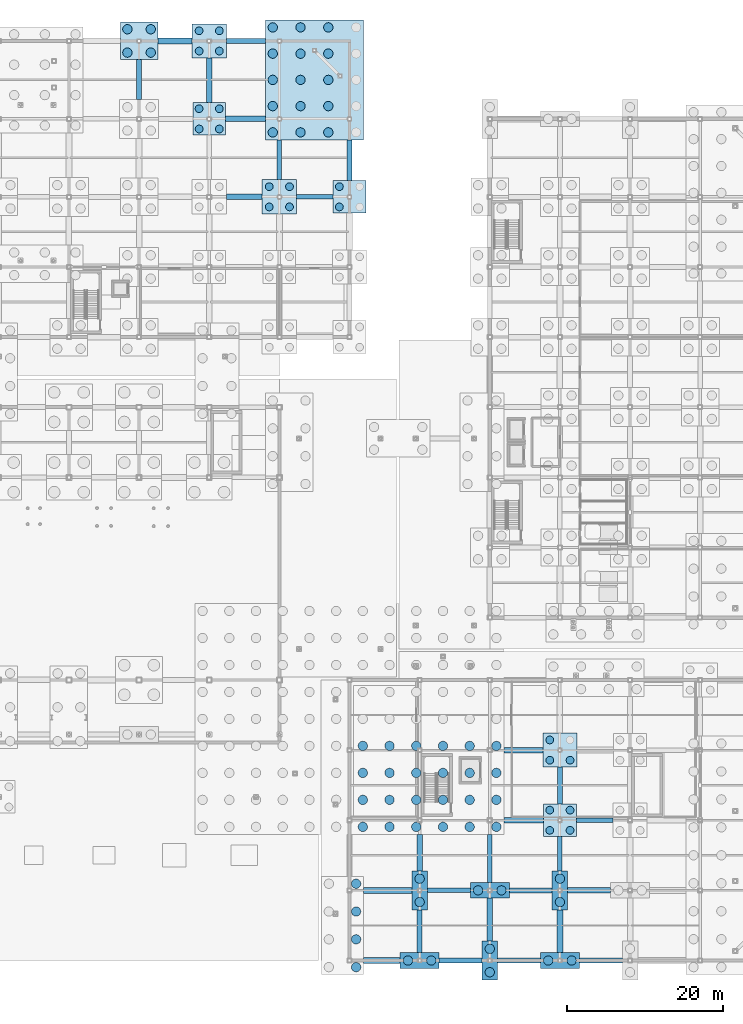
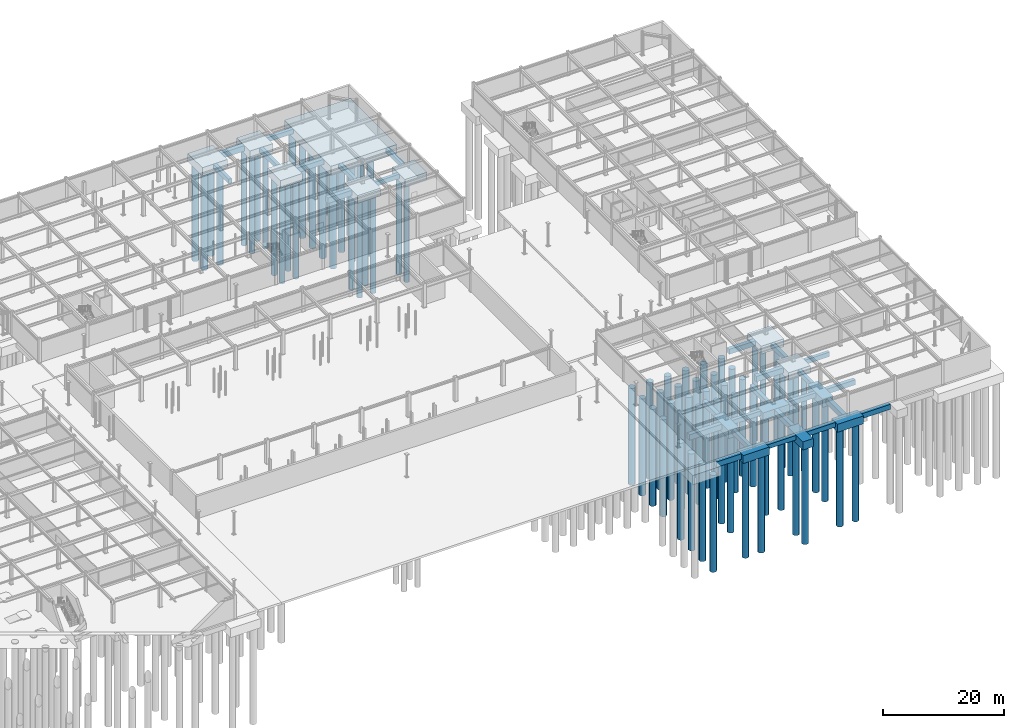
# One storey, part 8 of 74: 80 piles, 41 footings.
"""IFC4 building model written with IfcOpenShell, lengths in metres."""

from ifc_helpers import new_model, si_unit, direction, frame, origin, origin_2d, place, context, subcontext, project, spatial, polyline, rectangle, circle, outline, extrude, material, material_profile, profile_set, type_object, element, save


model = new_model("IFC4")

# Units and contexts
model_context = context("Model", 3, precision=1e-05, world=origin(), true_north=direction((0.0, 1.0)))
body_context = subcontext(model_context, "Body", "Model", "MODEL_VIEW")
ifc_project = project(units=[si_unit("LENGTHUNIT", "METRE"), si_unit("AREAUNIT", "SQUARE_METRE"), si_unit("VOLUMEUNIT", "CUBIC_METRE"), si_unit("PLANEANGLEUNIT", "RADIAN"), si_unit("MASSUNIT", "GRAM", prefix="KILO")], contexts=[model_context])

# Site, building, storey
site_placement = place(None, origin())
site = spatial("IfcSite", under=ifc_project, at=site_placement, CompositionType="ELEMENT")
building_placement = place(site_placement, origin())
building = spatial("IfcBuilding", under=site, at=building_placement, Name="Suzunagisa Mobility Hub", CompositionType="ELEMENT")
storey_placement = place(building_placement, frame((0.0, 0.0, -4.800048828125)))
storey = spatial("IfcBuildingStorey", under=building, at=storey_placement, Name="B1", CompositionType="ELEMENT", Elevation=-4.800048828125)

# Piles
ifc_material_1 = material(Name="Concrete C30/37", Category="concrete")
ifc_material_profile_1 = material_profile(ifc_material_1, circle(Radius=0.60009765625, at=origin_2d()), Name="BORED PILE D1200")
ifc_profile_set_1 = profile_set([ifc_material_profile_1], Name="Concrete C30/37")
pile_type_1 = type_object("IfcPileType", Name="Bored Pile PL-01 D1200", PredefinedType="BORED", material=ifc_profile_set_1)
for number, where, z_axis, x_axis, name in (
    (1, (97.5, 116.5, -2.0), (0.0, 0.0, -1.0), (1.0, 0.0, 0.0), "Bored Pile 81.1"),
    (2, (100.5, 116.5, -2.0), (0.0, 0.0, -1.0), (1.0, 0.0, 0.0), "Bored Pile 81.2"),
    (3, (97.5, 119.5, -2.0), (0.0, 0.0, -1.0), (1.0, 0.0, 0.0), "Bored Pile 81.3"),
    (4, (100.5, 119.5, -2.0), (0.0, 0.0, -1.0), (1.0, 0.0, 0.0), "Bored Pile 81.4"),
):
    element("IfcPile", number, at=place(storey_placement, frame(where, z_axis=z_axis, x_axis=x_axis)), inside=storey, type_object=pile_type_1, Name=name, PredefinedType="BORED", context=body_context, shape_type="SweptSolid", body=[
        extrude(circle(Radius=0.60009765625, at=origin_2d()), origin(), (0.0, 0.0, 1.0), 19.699951171875),
    ])
for number, where, z_axis, x_axis, name in (
    (5, (127.713623046875, 17.14990234375, -2.14990234375), (0.0, 0.0, -1.0), (1.0, 0.0, 0.0), "Bored Pile 82.55"),
    (6, (127.713623046875, 20.612548828125, -2.14990234375), (0.0, 0.0, -1.0), (1.0, 0.0, 0.0), "Bored Pile 82.56"),
    (7, (127.713623046875, 24.074951171875, -2.14990234375), (0.0, 0.0, -1.0), (1.0, 0.0, 0.0), "Bored Pile 82.57"),
    (8, (127.713623046875, 27.53759765625, -2.14990234375), (0.0, 0.0, -1.0), (1.0, 0.0, 0.0), "Bored Pile 82.58"),
    (9, (131.140869140625, 17.14990234375, -2.14990234375), (0.0, 0.0, -1.0), (1.0, 0.0, 0.0), "Bored Pile 82.64"),
    (10, (131.140869140625, 20.612548828125, -2.14990234375), (0.0, 0.0, -1.0), (1.0, 0.0, 0.0), "Bored Pile 82.65"),
    (11, (131.140869140625, 24.074951171875, -2.14990234375), (0.0, 0.0, -1.0), (1.0, 0.0, 0.0), "Bored Pile 82.66"),
    (12, (131.140869140625, 27.53759765625, -2.14990234375), (0.0, 0.0, -1.0), (1.0, 0.0, 0.0), "Bored Pile 82.67"),
    (13, (134.568115234375, 17.14990234375, -2.14990234375), (0.0, 0.0, -1.0), (1.0, 0.0, 0.0), "Bored Pile 82.73"),
    (14, (134.568115234375, 20.612548828125, -2.14990234375), (0.0, 0.0, -1.0), (1.0, 0.0, 0.0), "Bored Pile 82.74"),
    (15, (134.568115234375, 24.074951171875, -2.14990234375), (0.0, 0.0, -1.0), (1.0, 0.0, 0.0), "Bored Pile 82.75"),
    (16, (134.568115234375, 27.53759765625, -2.14990234375), (0.0, 0.0, -1.0), (1.0, 0.0, 0.0), "Bored Pile 82.76"),
    (17, (137.99560546875, 17.14990234375, -2.14990234375), (0.0, 0.0, -1.0), (1.0, 0.0, 0.0), "Bored Pile 82.82"),
    (18, (137.99560546875, 20.612548828125, -2.14990234375), (0.0, 0.0, -1.0), (1.0, 0.0, 0.0), "Bored Pile 82.83"),
    (19, (137.99560546875, 24.074951171875, -2.14990234375), (0.0, 0.0, -1.0), (1.0, 0.0, 0.0), "Bored Pile 82.84"),
    (20, (137.99560546875, 27.53759765625, -2.14990234375), (0.0, 0.0, -1.0), (1.0, 0.0, 0.0), "Bored Pile 82.85"),
    (21, (141.422607421875, 17.14990234375, -2.14990234375), (0.0, 0.0, -1.0), (1.0, 0.0, 0.0), "Bored Pile 82.91"),
    (22, (141.422607421875, 20.612548828125, -2.14990234375), (0.0, 0.0, -1.0), (1.0, 0.0, 0.0), "Bored Pile 82.92"),
    (23, (141.422607421875, 24.074951171875, -2.14990234375), (0.0, 0.0, -1.0), (1.0, 0.0, 0.0), "Bored Pile 82.93"),
    (24, (141.422607421875, 27.53759765625, -2.14990234375), (0.0, 0.0, -1.0), (1.0, 0.0, 0.0), "Bored Pile 82.94"),
    (25, (144.85009765625, 17.14990234375, -2.14990234375), (0.0, 0.0, -1.0), (1.0, 0.0, 0.0), "Bored Pile 82.100"),
    (26, (144.85009765625, 20.612548828125, -2.14990234375), (0.0, 0.0, -1.0), (1.0, 0.0, 0.0), "Bored Pile 82.101"),
    (27, (144.85009765625, 24.074951171875, -2.14990234375), (0.0, 0.0, -1.0), (1.0, 0.0, 0.0), "Bored Pile 82.102"),
    (28, (144.85009765625, 27.53759765625, -2.14990234375), (0.0, 0.0, -1.0), (1.0, 0.0, 0.0), "Bored Pile 82.103"),
):
    element("IfcPile", number, at=place(storey_placement, frame(where, z_axis=z_axis, x_axis=x_axis)), inside=storey, type_object=pile_type_1, Name=name, PredefinedType="BORED", context=body_context, shape_type="SweptSolid", body=[
        extrude(circle(Radius=0.60009765625, at=origin_2d()), origin(), (0.0, 0.0, 1.0), 19.550048828125),
    ])
for number, where, z_axis, x_axis, name in (
    (29, (116.14990234375, 106.264892578125, -2.199951171875), (0.0, 0.0, -1.0), (1.0, 0.0, 0.0), "Bored Pile 93.1"),
    (30, (116.14990234375, 109.632568359375, -2.199951171875), (0.0, 0.0, -1.0), (1.0, 0.0, 0.0), "Bored Pile 93.2"),
    (31, (116.14990234375, 113.0, -2.199951171875), (0.0, 0.0, -1.0), (1.0, 0.0, 0.0), "Bored Pile 93.3"),
    (32, (116.14990234375, 116.367431640625, -2.199951171875), (0.0, 0.0, -1.0), (1.0, 0.0, 0.0), "Bored Pile 93.4"),
    (33, (116.14990234375, 119.735107421875, -2.199951171875), (0.0, 0.0, -1.0), (1.0, 0.0, 0.0), "Bored Pile 93.5"),
    (34, (119.716796875, 106.264892578125, -2.199951171875), (0.0, 0.0, -1.0), (1.0, 0.0, 0.0), "Bored Pile 93.6"),
    (35, (119.716796875, 109.632568359375, -2.199951171875), (0.0, 0.0, -1.0), (1.0, 0.0, 0.0), "Bored Pile 93.7"),
    (36, (119.716796875, 113.0, -2.199951171875), (0.0, 0.0, -1.0), (1.0, 0.0, 0.0), "Bored Pile 93.8"),
    (37, (119.716796875, 116.367431640625, -2.199951171875), (0.0, 0.0, -1.0), (1.0, 0.0, 0.0), "Bored Pile 93.9"),
    (38, (119.716796875, 119.735107421875, -2.199951171875), (0.0, 0.0, -1.0), (1.0, 0.0, 0.0), "Bored Pile 93.10"),
    (39, (123.283203125, 106.264892578125, -2.199951171875), (0.0, 0.0, -1.0), (1.0, 0.0, 0.0), "Bored Pile 93.11"),
    (40, (123.283203125, 109.632568359375, -2.199951171875), (0.0, 0.0, -1.0), (1.0, 0.0, 0.0), "Bored Pile 93.12"),
    (41, (123.283203125, 113.0, -2.199951171875), (0.0, 0.0, -1.0), (1.0, 0.0, 0.0), "Bored Pile 93.13"),
    (42, (123.283203125, 116.367431640625, -2.199951171875), (0.0, 0.0, -1.0), (1.0, 0.0, 0.0), "Bored Pile 93.14"),
    (43, (123.283203125, 119.735107421875, -2.199951171875), (0.0, 0.0, -1.0), (1.0, 0.0, 0.0), "Bored Pile 93.15"),
):
    element("IfcPile", number, at=place(storey_placement, frame(where, z_axis=z_axis, x_axis=x_axis)), inside=storey, type_object=pile_type_1, Name=name, PredefinedType="BORED", context=body_context, shape_type="SweptSolid", body=[
        extrude(circle(Radius=0.60009765625, at=origin_2d()), origin(), (0.0, 0.0, 1.0), 19.5),
    ])
for number, where, z_axis, x_axis, name in (
    (44, (126.85009765625, -0.85009765625, -2.14990234375), (0.0, 0.0, -1.0), (1.0, 0.0, 0.0), "Bored Pile 94.5"),
    (45, (126.85009765625, 2.716796875, -2.14990234375), (0.0, 0.0, -1.0), (1.0, 0.0, 0.0), "Bored Pile 94.6"),
    (46, (126.85009765625, 6.283203125, -2.14990234375), (0.0, 0.0, -1.0), (1.0, 0.0, 0.0), "Bored Pile 94.7"),
    (47, (126.85009765625, 9.85009765625, -2.14990234375), (0.0, 0.0, -1.0), (1.0, 0.0, 0.0), "Bored Pile 94.8"),
):
    element("IfcPile", number, at=place(storey_placement, frame(where, z_axis=z_axis, x_axis=x_axis)), inside=storey, type_object=pile_type_1, Name=name, PredefinedType="BORED", context=body_context, shape_type="SweptSolid", body=[
        extrude(circle(Radius=0.60009765625, at=origin_2d()), origin(), (0.0, 0.0, 1.0), 19.550048828125),
    ])
for number, where, z_axis, x_axis, name in (
    (48, (133.5, 0.0, -1.89990234375), (0.0, 0.0, -1.0), (1.0, 0.0, 0.0), "Bored Pile 99.1"),
    (49, (136.5, 0.0, -1.89990234375), (0.0, 0.0, -1.0), (1.0, 0.0, 0.0), "Bored Pile 99.2"),
):
    element("IfcPile", number, at=place(storey_placement, frame(where, z_axis=z_axis, x_axis=x_axis)), inside=storey, type_object=pile_type_1, Name=name, PredefinedType="BORED", context=body_context, shape_type="SweptSolid", body=[
        extrude(circle(Radius=0.60009765625, at=origin_2d()), origin(), (0.0, 0.0, 1.0), 19.800048828125),
    ])
for number, where, z_axis, x_axis, name in (
    (50, (135.0, 7.5, -1.949951171875), (0.0, 0.0, -1.0), (1.0, 0.0, 0.0), "Bored Pile 100.1"),
    (51, (135.0, 10.5, -1.949951171875), (0.0, 0.0, -1.0), (1.0, 0.0, 0.0), "Bored Pile 100.2"),
    (52, (144.0, -1.5, -1.949951171875), (0.0, 0.0, -1.0), (1.0, 0.0, 0.0), "Bored Pile 102.1"),
    (53, (144.0, 1.5, -1.949951171875), (0.0, 0.0, -1.0), (1.0, 0.0, 0.0), "Bored Pile 102.2"),
):
    element("IfcPile", number, at=place(storey_placement, frame(where, z_axis=z_axis, x_axis=x_axis)), inside=storey, type_object=pile_type_1, Name=name, PredefinedType="BORED", context=body_context, shape_type="SweptSolid", body=[
        extrude(circle(Radius=0.60009765625, at=origin_2d()), origin(), (0.0, 0.0, 1.0), 19.75),
    ])
for number, where, z_axis, x_axis, name in (
    (54, (142.5, 9.0, -1.89990234375), (0.0, 0.0, -1.0), (1.0, 0.0, 0.0), "Bored Pile 103.1"),
    (55, (145.5, 9.0, -1.89990234375), (0.0, 0.0, -1.0), (1.0, 0.0, 0.0), "Bored Pile 103.2"),
    (56, (151.5, 0.0, -1.89990234375), (0.0, 0.0, -1.0), (1.0, 0.0, 0.0), "Bored Pile 109.1"),
    (57, (154.5, 0.0, -1.89990234375), (0.0, 0.0, -1.0), (1.0, 0.0, 0.0), "Bored Pile 109.2"),
):
    element("IfcPile", number, at=place(storey_placement, frame(where, z_axis=z_axis, x_axis=x_axis)), inside=storey, type_object=pile_type_1, Name=name, PredefinedType="BORED", context=body_context, shape_type="SweptSolid", body=[
        extrude(circle(Radius=0.60009765625, at=origin_2d()), origin(), (0.0, 0.0, 1.0), 19.800048828125),
    ])
for number, where, z_axis, x_axis, name in (
    (58, (153.0, 7.5, -1.949951171875), (0.0, 0.0, -1.0), (1.0, 0.0, 0.0), "Bored Pile 110.1"),
    (59, (153.0, 10.5, -1.949951171875), (0.0, 0.0, -1.0), (1.0, 0.0, 0.0), "Bored Pile 110.2"),
):
    element("IfcPile", number, at=place(storey_placement, frame(where, z_axis=z_axis, x_axis=x_axis)), inside=storey, type_object=pile_type_1, Name=name, PredefinedType="BORED", context=body_context, shape_type="SweptSolid", body=[
        extrude(circle(Radius=0.60009765625, at=origin_2d()), origin(), (0.0, 0.0, 1.0), 19.75),
    ])
ifc_material_profile_2 = material_profile(ifc_material_1, circle(Radius=0.5, at=origin_2d()), Name="BORED PILE D1000")
ifc_profile_set_2 = profile_set([ifc_material_profile_2], Name="Concrete C30/37")
pile_type_2 = type_object("IfcPileType", Name="Bored Pile PL-02 D1000", PredefinedType="BORED", material=ifc_profile_set_2)
for number, where, z_axis, x_axis, name in (
    (60, (106.699951171875, 106.699951171875, -1.849853515625), (0.0, 0.0, -1.0), (1.0, 0.0, 0.0), "Bored Pile 87.1"),
    (61, (109.300048828125, 106.699951171875, -1.849853515625), (0.0, 0.0, -1.0), (1.0, 0.0, 0.0), "Bored Pile 87.2"),
    (62, (106.699951171875, 109.300048828125, -1.849853515625), (0.0, 0.0, -1.0), (1.0, 0.0, 0.0), "Bored Pile 87.3"),
    (63, (109.300048828125, 109.300048828125, -1.849853515625), (0.0, 0.0, -1.0), (1.0, 0.0, 0.0), "Bored Pile 87.4"),
):
    element("IfcPile", number, at=place(storey_placement, frame(where, z_axis=z_axis, x_axis=x_axis)), inside=storey, type_object=pile_type_2, Name=name, PredefinedType="BORED", context=body_context, shape_type="SweptSolid", body=[
        extrude(circle(Radius=0.5, at=origin_2d()), origin(), (0.0, 0.0, 1.0), 19.85009765625),
    ])
for number, where, z_axis, x_axis, name in (
    (64, (106.699951171875, 116.699951171875, -1.949951171875), (0.0, 0.0, -1.0), (1.0, 0.0, 0.0), "Bored Pile 88.1"),
    (65, (109.300048828125, 116.699951171875, -1.949951171875), (0.0, 0.0, -1.0), (1.0, 0.0, 0.0), "Bored Pile 88.2"),
    (66, (106.699951171875, 119.300048828125, -1.949951171875), (0.0, 0.0, -1.0), (1.0, 0.0, 0.0), "Bored Pile 88.3"),
    (67, (109.300048828125, 119.300048828125, -1.949951171875), (0.0, 0.0, -1.0), (1.0, 0.0, 0.0), "Bored Pile 88.4"),
    (68, (115.699951171875, 96.699951171875, -1.949951171875), (0.0, 0.0, -1.0), (1.0, 0.0, 0.0), "Bored Pile 92.1"),
    (69, (118.300048828125, 96.699951171875, -1.949951171875), (0.0, 0.0, -1.0), (1.0, 0.0, 0.0), "Bored Pile 92.2"),
    (70, (115.699951171875, 99.300048828125, -1.949951171875), (0.0, 0.0, -1.0), (1.0, 0.0, 0.0), "Bored Pile 92.3"),
    (71, (118.300048828125, 99.300048828125, -1.949951171875), (0.0, 0.0, -1.0), (1.0, 0.0, 0.0), "Bored Pile 92.4"),
):
    element("IfcPile", number, at=place(storey_placement, frame(where, z_axis=z_axis, x_axis=x_axis)), inside=storey, type_object=pile_type_2, Name=name, PredefinedType="BORED", context=body_context, shape_type="SweptSolid", body=[
        extrude(circle(Radius=0.5, at=origin_2d()), origin(), (0.0, 0.0, 1.0), 19.75),
    ])
for number, where, z_axis, x_axis, name in (
    (72, (124.699951171875, 96.699951171875, -1.849853515625), (0.0, 0.0, -1.0), (1.0, 0.0, 0.0), "Bored Pile 97.1"),
    (73, (124.699951171875, 99.300048828125, -1.849853515625), (0.0, 0.0, -1.0), (1.0, 0.0, 0.0), "Bored Pile 97.3"),
):
    element("IfcPile", number, at=place(storey_placement, frame(where, z_axis=z_axis, x_axis=x_axis)), inside=storey, type_object=pile_type_2, Name=name, PredefinedType="BORED", context=body_context, shape_type="SweptSolid", body=[
        extrude(circle(Radius=0.5, at=origin_2d()), origin(), (0.0, 0.0, 1.0), 19.85009765625),
    ])
for number, where, z_axis, x_axis, name in (
    (74, (151.699951171875, 16.699951171875, -1.800048828125), (0.0, 0.0, -1.0), (1.0, 0.0, 0.0), "Bored Pile 111.1"),
    (75, (154.300048828125, 16.699951171875, -1.800048828125), (0.0, 0.0, -1.0), (1.0, 0.0, 0.0), "Bored Pile 111.2"),
    (76, (151.699951171875, 19.300048828125, -1.800048828125), (0.0, 0.0, -1.0), (1.0, 0.0, 0.0), "Bored Pile 111.3"),
    (77, (154.300048828125, 19.300048828125, -1.800048828125), (0.0, 0.0, -1.0), (1.0, 0.0, 0.0), "Bored Pile 111.4"),
):
    element("IfcPile", number, at=place(storey_placement, frame(where, z_axis=z_axis, x_axis=x_axis)), inside=storey, type_object=pile_type_2, Name=name, PredefinedType="BORED", context=body_context, shape_type="SweptSolid", body=[
        extrude(circle(Radius=0.5, at=origin_2d()), origin(), (0.0, 0.0, 1.0), 19.89990234375),
    ])
for number, where, z_axis, x_axis, name in (
    (78, (151.699951171875, 25.699951171875, -1.89990234375), (0.0, 0.0, -1.0), (1.0, 0.0, 0.0), "Bored Pile 112.1"),
    (79, (154.300048828125, 25.699951171875, -1.89990234375), (0.0, 0.0, -1.0), (1.0, 0.0, 0.0), "Bored Pile 112.2"),
    (80, (151.699951171875, 28.300048828125, -1.89990234375), (0.0, 0.0, -1.0), (1.0, 0.0, 0.0), "Bored Pile 112.3"),
):
    element("IfcPile", number, at=place(storey_placement, frame(where, z_axis=z_axis, x_axis=x_axis)), inside=storey, type_object=pile_type_2, Name=name, PredefinedType="BORED", context=body_context, shape_type="SweptSolid", body=[
        extrude(circle(Radius=0.5, at=origin_2d()), origin(), (0.0, 0.0, 1.0), 19.800048828125),
    ])

# Footings
ifc_material_2 = material(Name="Concrete C35/45", Category="concrete")
footing_type_1 = type_object("IfcFootingType", Name="Combined Prow Pile Cap FR-19 12600x15370x1850", PredefinedType="PILE_CAP", material=ifc_material_2)
footing_1_placement = place(storey_placement, frame((121.5, 113.0, -2.35009765625), z_axis=(0.0, 0.0, 1.0), x_axis=(1.0, 0.0, 0.0)))
element("IfcFooting", 81, at=footing_1_placement, inside=storey, type_object=footing_type_1, Name="Combined Prow Pile Cap 93", PredefinedType="PILE_CAP", context=body_context, shape_type="SweptSolid", body=[
    extrude(rectangle(XDim=12.60009765625, YDim=15.3701171875, at=origin_2d()), origin(), (0.0, 0.0, 1.0), 1.85009765625),
])
footing_type_2 = type_object("IfcFootingType", Name="Ground Tie Beam FT-03 750x1100", PredefinedType="FOOTING_BEAM", material=ifc_material_2)
footing_2_placement = place(storey_placement, frame((0.0, 0.0, -1.550048828125)))
element("IfcFooting", 82, at=footing_2_placement, inside=storey, type_object=footing_type_2, Name="Foundation Tie Beam TBX-4", PredefinedType="FOOTING_BEAM", context=body_context, shape_type="SweptSolid", body=[
    extrude(outline(polyline([(127.800048828125, -0.375), (132.5, -0.375), (132.5, 0.375), (127.800048828125, 0.375), (127.800048828125, -0.375)])), origin(), (0.0, 0.0, 1.0), 1.10009765625),
])
footing_3_placement = place(storey_placement, frame((0.0, 0.0, -1.550048828125)))
element("IfcFooting", 83, at=footing_3_placement, inside=storey, type_object=footing_type_2, Name="Foundation Tie Beam TBX-12", PredefinedType="FOOTING_BEAM", context=body_context, shape_type="SweptSolid", body=[
    extrude(outline(polyline([(127.800048828125, 8.625), (134.0, 8.625), (134.0, 9.375), (127.800048828125, 9.375), (127.800048828125, 8.625)])), origin(), (0.0, 0.0, 1.0), 1.10009765625),
])
footing_4_placement = place(storey_placement, frame((0.0, 0.0, -1.550048828125)))
element("IfcFooting", 84, at=footing_4_placement, inside=storey, type_object=footing_type_2, Name="Foundation Tie Beam TBX-20", PredefinedType="FOOTING_BEAM", context=body_context, shape_type="SweptSolid", body=[
    extrude(outline(polyline([(145.800048828125, 17.625), (150.89990234375, 17.625), (150.89990234375, 18.375), (145.800048828125, 18.375), (145.800048828125, 17.625)])), origin(), (0.0, 0.0, 1.0), 1.10009765625),
])
footing_5_placement = place(storey_placement, frame((0.0, 0.0, -1.599853515625)))
element("IfcFooting", 85, at=footing_5_placement, inside=storey, type_object=footing_type_2, Name="Foundation Tie Beam TBX-124", PredefinedType="FOOTING_BEAM", context=body_context, shape_type="SweptSolid", body=[
    extrude(outline(polyline([(110.199951171875, 97.625), (114.800048828125, 97.625), (114.800048828125, 98.375), (110.199951171875, 98.375), (110.199951171875, 97.625)])), origin(), (0.0, 0.0, 1.0), 1.099853515625),
])
footing_6_placement = place(storey_placement, frame((0.0, 0.0, -1.599853515625)))
element("IfcFooting", 86, at=footing_6_placement, inside=storey, type_object=footing_type_2, Name="Foundation Tie Beam TBX-144", PredefinedType="FOOTING_BEAM", context=body_context, shape_type="SweptSolid", body=[
    extrude(outline(polyline([(101.39990234375, 117.625), (105.800048828125, 117.625), (105.800048828125, 118.375), (101.39990234375, 118.375), (101.39990234375, 117.625)])), origin(), (0.0, 0.0, 1.0), 1.099853515625),
])
footing_7_placement = place(storey_placement, frame((0.0, 0.0, -1.550048828125)))
element("IfcFooting", 87, at=footing_7_placement, inside=storey, type_object=footing_type_2, Name="Foundation Tie Beam TBY-224", PredefinedType="FOOTING_BEAM", context=body_context, shape_type="SweptSolid", body=[
    extrude(outline(polyline([(143.625, 2.5), (144.375, 2.5), (144.375, 8.0), (143.625, 8.0), (143.625, 2.5)])), origin(), (0.0, 0.0, 1.0), 1.10009765625),
])
footing_8_placement = place(storey_placement, frame((0.0, 0.0, -1.550048828125)))
element("IfcFooting", 88, at=footing_8_placement, inside=storey, type_object=footing_type_2, Name="Foundation Tie Beam TBY-232", PredefinedType="FOOTING_BEAM", context=body_context, shape_type="SweptSolid", body=[
    extrude(outline(polyline([(152.625, 1.0), (153.375, 1.0), (153.375, 6.5), (152.625, 6.5), (152.625, 1.0)])), origin(), (0.0, 0.0, 1.0), 1.10009765625),
])
footing_type_3 = type_object("IfcFootingType", Name="Ground Tie Beam FT-05 600x900", PredefinedType="FOOTING_BEAM", material=ifc_material_2)
footing_9_placement = place(storey_placement, frame((0.0, 0.0, -1.349853515625)))
element("IfcFooting", 89, at=footing_9_placement, inside=storey, type_object=footing_type_3, Name="Foundation Tie Beam TBX-5", PredefinedType="FOOTING_BEAM", context=body_context, shape_type="SweptSolid", body=[
    extrude(outline(polyline([(137.5, -0.300048828125), (143.0, -0.300048828125), (143.0, 0.300048828125), (137.5, 0.300048828125), (137.5, -0.300048828125)])), origin(), (0.0, 0.0, 1.0), 0.89990234375),
])
footing_10_placement = place(storey_placement, frame((0.0, 0.0, -1.349853515625)))
element("IfcFooting", 90, at=footing_10_placement, inside=storey, type_object=footing_type_3, Name="Foundation Tie Beam TBX-13", PredefinedType="FOOTING_BEAM", context=body_context, shape_type="SweptSolid", body=[
    extrude(outline(polyline([(136.0, 8.699951171875), (141.5, 8.699951171875), (141.5, 9.300048828125), (136.0, 9.300048828125), (136.0, 8.699951171875)])), origin(), (0.0, 0.0, 1.0), 0.89990234375),
])
footing_11_placement = place(storey_placement, frame((0.0, 0.0, -1.349853515625)))
element("IfcFooting", 91, at=footing_11_placement, inside=storey, type_object=footing_type_3, Name="Foundation Tie Beam TBX-21", PredefinedType="FOOTING_BEAM", context=body_context, shape_type="SweptSolid", body=[
    extrude(outline(polyline([(155.10009765625, 17.699951171875), (159.800048828125, 17.699951171875), (159.800048828125, 18.300048828125), (155.10009765625, 18.300048828125), (155.10009765625, 17.699951171875)])), origin(), (0.0, 0.0, 1.0), 0.89990234375),
])
footing_12_placement = place(storey_placement, frame((0.0, 0.0, -1.39990234375)))
element("IfcFooting", 92, at=footing_12_placement, inside=storey, type_object=footing_type_3, Name="Foundation Tie Beam TBX-125", PredefinedType="FOOTING_BEAM", context=body_context, shape_type="SweptSolid", body=[
    extrude(outline(polyline([(119.199951171875, 97.699951171875), (123.89990234375, 97.699951171875), (123.89990234375, 98.300048828125), (119.199951171875, 98.300048828125), (119.199951171875, 97.699951171875)])), origin(), (0.0, 0.0, 1.0), 0.89990234375),
])
footing_13_placement = place(storey_placement, frame((0.0, 0.0, -1.39990234375)))
element("IfcFooting", 93, at=footing_13_placement, inside=storey, type_object=footing_type_3, Name="Foundation Tie Beam TBX-145", PredefinedType="FOOTING_BEAM", context=body_context, shape_type="SweptSolid", body=[
    extrude(outline(polyline([(110.199951171875, 117.699951171875), (115.199951171875, 117.699951171875), (115.199951171875, 118.300048828125), (110.199951171875, 118.300048828125), (110.199951171875, 117.699951171875)])), origin(), (0.0, 0.0, 1.0), 0.89990234375),
])
footing_14_placement = place(storey_placement, frame((0.0, 0.0, -1.39990234375)))
element("IfcFooting", 94, at=footing_14_placement, inside=storey, type_object=footing_type_3, Name="Foundation Tie Beam TBY-209", PredefinedType="FOOTING_BEAM", context=body_context, shape_type="SweptSolid", body=[
    extrude(outline(polyline([(98.699951171875, 110.5), (99.300048828125, 110.5), (99.300048828125, 115.60009765625), (98.699951171875, 115.60009765625), (98.699951171875, 110.5)])), origin(), (0.0, 0.0, 1.0), 0.89990234375),
])
footing_15_placement = place(storey_placement, frame((0.0, 0.0, -1.39990234375)))
element("IfcFooting", 95, at=footing_15_placement, inside=storey, type_object=footing_type_3, Name="Foundation Tie Beam TBY-217", PredefinedType="FOOTING_BEAM", context=body_context, shape_type="SweptSolid", body=[
    extrude(outline(polyline([(116.699951171875, 100.199951171875), (117.300048828125, 100.199951171875), (117.300048828125, 105.31494140625), (116.699951171875, 105.31494140625), (116.699951171875, 100.199951171875)])), origin(), (0.0, 0.0, 1.0), 0.89990234375),
])
footing_16_placement = place(storey_placement, frame((0.0, 0.0, -1.39990234375)))
element("IfcFooting", 96, at=footing_16_placement, inside=storey, type_object=footing_type_3, Name="Foundation Tie Beam TBY-221", PredefinedType="FOOTING_BEAM", context=body_context, shape_type="SweptSolid", body=[
    extrude(outline(polyline([(125.699951171875, 100.10009765625), (126.300048828125, 100.10009765625), (126.300048828125, 105.31494140625), (125.699951171875, 105.31494140625), (125.699951171875, 100.10009765625)])), origin(), (0.0, 0.0, 1.0), 0.89990234375),
])
footing_17_placement = place(storey_placement, frame((0.0, 0.0, -1.349853515625)))
element("IfcFooting", 97, at=footing_17_placement, inside=storey, type_object=footing_type_3, Name="Foundation Tie Beam TBY-225", PredefinedType="FOOTING_BEAM", context=body_context, shape_type="SweptSolid", body=[
    extrude(outline(polyline([(143.699951171875, 10.0), (144.300048828125, 10.0), (144.300048828125, 16.199951171875), (143.699951171875, 16.199951171875), (143.699951171875, 10.0)])), origin(), (0.0, 0.0, 1.0), 0.89990234375),
])
footing_18_placement = place(storey_placement, frame((0.0, 0.0, -1.349853515625)))
element("IfcFooting", 98, at=footing_18_placement, inside=storey, type_object=footing_type_3, Name="Foundation Tie Beam TBY-233", PredefinedType="FOOTING_BEAM", context=body_context, shape_type="SweptSolid", body=[
    extrude(outline(polyline([(152.699951171875, 11.5), (153.300048828125, 11.5), (153.300048828125, 15.89990234375), (152.699951171875, 15.89990234375), (152.699951171875, 11.5)])), origin(), (0.0, 0.0, 1.0), 0.89990234375),
])
footing_type_4 = type_object("IfcFootingType", Name="Ground Tie Beam FT-07 650x950", PredefinedType="FOOTING_BEAM", material=ifc_material_2)
footing_19_placement = place(storey_placement, frame((0.0, 0.0, -1.39990234375)))
element("IfcFooting", 99, at=footing_19_placement, inside=storey, type_object=footing_type_4, Name="Foundation Tie Beam TBX-6", PredefinedType="FOOTING_BEAM", context=body_context, shape_type="SweptSolid", body=[
    extrude(outline(polyline([(145.0, -0.324951171875), (150.5, -0.324951171875), (150.5, 0.324951171875), (145.0, 0.324951171875), (145.0, -0.324951171875)])), origin(), (0.0, 0.0, 1.0), 0.949951171875),
])
footing_20_placement = place(storey_placement, frame((0.0, 0.0, -1.39990234375)))
element("IfcFooting", 100, at=footing_20_placement, inside=storey, type_object=footing_type_4, Name="Foundation Tie Beam TBX-14", PredefinedType="FOOTING_BEAM", context=body_context, shape_type="SweptSolid", body=[
    extrude(outline(polyline([(146.5, 8.675048828125), (152.0, 8.675048828125), (152.0, 9.324951171875), (146.5, 9.324951171875), (146.5, 8.675048828125)])), origin(), (0.0, 0.0, 1.0), 0.949951171875),
])
footing_21_placement = place(storey_placement, frame((0.0, 0.0, -1.449951171875)))
element("IfcFooting", 101, at=footing_21_placement, inside=storey, type_object=footing_type_4, Name="Foundation Tie Beam TBY-214", PredefinedType="FOOTING_BEAM", context=body_context, shape_type="SweptSolid", body=[
    extrude(outline(polyline([(107.675048828125, 110.10009765625), (108.324951171875, 110.10009765625), (108.324951171875, 115.800048828125), (107.675048828125, 115.800048828125), (107.675048828125, 110.10009765625)])), origin(), (0.0, 0.0, 1.0), 0.949951171875),
])
footing_22_placement = place(storey_placement, frame((0.0, 0.0, -1.39990234375)))
element("IfcFooting", 102, at=footing_22_placement, inside=storey, type_object=footing_type_4, Name="Foundation Tie Beam TBY-222", PredefinedType="FOOTING_BEAM", context=body_context, shape_type="SweptSolid", body=[
    extrude(outline(polyline([(134.675048828125, 1.0), (135.324951171875, 1.0), (135.324951171875, 6.5), (134.675048828125, 6.5), (134.675048828125, 1.0)])), origin(), (0.0, 0.0, 1.0), 0.949951171875),
])
footing_23_placement = place(storey_placement, frame((0.0, 0.0, -1.39990234375)))
element("IfcFooting", 103, at=footing_23_placement, inside=storey, type_object=footing_type_4, Name="Foundation Tie Beam TBY-234", PredefinedType="FOOTING_BEAM", context=body_context, shape_type="SweptSolid", body=[
    extrude(outline(polyline([(152.675048828125, 20.10009765625), (153.324951171875, 20.10009765625), (153.324951171875, 24.800048828125), (152.675048828125, 24.800048828125), (152.675048828125, 20.10009765625)])), origin(), (0.0, 0.0, 1.0), 0.949951171875),
])
footing_type_5 = type_object("IfcFootingType", Name="Ground Tie Beam FT-23 700x1000", PredefinedType="FOOTING_BEAM", material=ifc_material_2)
footing_24_placement = place(storey_placement, frame((0.0, 0.0, -1.449951171875)))
element("IfcFooting", 104, at=footing_24_placement, inside=storey, type_object=footing_type_5, Name="Foundation Tie Beam TBX-7", PredefinedType="FOOTING_BEAM", context=body_context, shape_type="SweptSolid", body=[
    extrude(outline(polyline([(155.5, -0.35009765625), (161.0, -0.35009765625), (161.0, 0.35009765625), (155.5, 0.35009765625), (155.5, -0.35009765625)])), origin(), (0.0, 0.0, 1.0), 1.0),
])
footing_25_placement = place(storey_placement, frame((0.0, 0.0, -1.449951171875)))
element("IfcFooting", 105, at=footing_25_placement, inside=storey, type_object=footing_type_5, Name="Foundation Tie Beam TBX-15", PredefinedType="FOOTING_BEAM", context=body_context, shape_type="SweptSolid", body=[
    extrude(outline(polyline([(154.0, 8.64990234375), (159.5, 8.64990234375), (159.5, 9.35009765625), (154.0, 9.35009765625), (154.0, 8.64990234375)])), origin(), (0.0, 0.0, 1.0), 1.0),
])
footing_26_placement = place(storey_placement, frame((0.0, 0.0, -1.449951171875)))
element("IfcFooting", 106, at=footing_26_placement, inside=storey, type_object=footing_type_5, Name="Foundation Tie Beam TBX-27", PredefinedType="FOOTING_BEAM", context=body_context, shape_type="SweptSolid", body=[
    extrude(outline(polyline([(145.800048828125, 26.64990234375), (150.800048828125, 26.64990234375), (150.800048828125, 27.35009765625), (145.800048828125, 27.35009765625), (145.800048828125, 26.64990234375)])), origin(), (0.0, 0.0, 1.0), 1.0),
])
footing_27_placement = place(storey_placement, frame((0.0, 0.0, -1.5)))
element("IfcFooting", 107, at=footing_27_placement, inside=storey, type_object=footing_type_5, Name="Foundation Tie Beam TBX-135", PredefinedType="FOOTING_BEAM", context=body_context, shape_type="SweptSolid", body=[
    extrude(outline(polyline([(110.10009765625, 107.64990234375), (115.199951171875, 107.64990234375), (115.199951171875, 108.35009765625), (110.10009765625, 108.35009765625), (110.10009765625, 107.64990234375)])), origin(), (0.0, 0.0, 1.0), 1.0),
])
footing_28_placement = place(storey_placement, frame((0.0, 0.0, -1.449951171875)))
element("IfcFooting", 108, at=footing_28_placement, inside=storey, type_object=footing_type_5, Name="Foundation Tie Beam TBY-223", PredefinedType="FOOTING_BEAM", context=body_context, shape_type="SweptSolid", body=[
    extrude(outline(polyline([(134.64990234375, 11.5), (135.35009765625, 11.5), (135.35009765625, 16.199951171875), (134.64990234375, 16.199951171875), (134.64990234375, 11.5)])), origin(), (0.0, 0.0, 1.0), 1.0),
])
footing_type_6 = type_object("IfcFootingType", Name="Pile Cap FT-06 5000x2000x1600", PredefinedType="PILE_CAP", material=ifc_material_2)
for number, where, z_axis, x_axis, name in (
    (109, (135.0, 0.0, -2.050048828125), (0.0, 0.0, 1.0), (1.0, 0.0, 0.0), "Pile Cap 99"),
    (110, (144.0, 9.0, -2.050048828125), (0.0, 0.0, 1.0), (1.0, 0.0, 0.0), "Pile Cap 103"),
    (111, (153.0, 0.0, -2.050048828125), (0.0, 0.0, 1.0), (1.0, 0.0, 0.0), "Pile Cap 109"),
):
    element("IfcFooting", number, at=place(storey_placement, frame(where, z_axis=z_axis, x_axis=x_axis)), inside=storey, type_object=footing_type_6, Name=name, PredefinedType="PILE_CAP", context=body_context, shape_type="SweptSolid", body=[
        extrude(rectangle(XDim=5.0, YDim=2.0, at=origin_2d()), origin(), (0.0, 0.0, 1.0), 1.60009765625),
    ])
footing_type_7 = type_object("IfcFootingType", Name="Pile Cap FT-12 2000x5000x1650", PredefinedType="PILE_CAP", material=ifc_material_2)
for number, where, z_axis, x_axis, name in (
    (112, (135.0, 9.0, -2.099853515625), (0.0, 0.0, 1.0), (1.0, 0.0, 0.0), "Pile Cap 100"),
    (113, (144.0, 0.0, -2.099853515625), (0.0, 0.0, 1.0), (1.0, 0.0, 0.0), "Pile Cap 102"),
    (114, (153.0, 9.0, -2.099853515625), (0.0, 0.0, 1.0), (1.0, 0.0, 0.0), "Pile Cap 110"),
):
    element("IfcFooting", number, at=place(storey_placement, frame(where, z_axis=z_axis, x_axis=x_axis)), inside=storey, type_object=footing_type_7, Name=name, PredefinedType="PILE_CAP", context=body_context, shape_type="SweptSolid", body=[
        extrude(rectangle(XDim=2.0, YDim=5.0, at=origin_2d()), origin(), (0.0, 0.0, 1.0), 1.64990234375),
    ])
footing_type_8 = type_object("IfcFootingType", Name="Pile Cap FT-14 4800x4800x1650", PredefinedType="PILE_CAP", material=ifc_material_2)
footing_29_placement = place(storey_placement, frame((99.0, 118.0, -2.14990234375), z_axis=(0.0, 0.0, 1.0), x_axis=(1.0, 0.0, 0.0)))
element("IfcFooting", 115, at=footing_29_placement, inside=storey, type_object=footing_type_8, Name="Pile Cap 81", PredefinedType="PILE_CAP", context=body_context, shape_type="SweptSolid", body=[
    extrude(rectangle(XDim=4.800048828125, YDim=4.800048828125, at=origin_2d()), origin(), (0.0, 0.0, 1.0), 1.64990234375),
])
footing_type_9 = type_object("IfcFootingType", Name="Pile Cap FT-16 4400x4400x1600", PredefinedType="PILE_CAP", material=ifc_material_2)
for number, where, z_axis, x_axis, name in (
    (116, (108.0, 118.0, -2.10009765625), (0.0, 0.0, 1.0), (1.0, 0.0, 0.0), "Pile Cap 88"),
    (117, (117.0, 98.0, -2.10009765625), (0.0, 0.0, 1.0), (1.0, 0.0, 0.0), "Pile Cap 92"),
    (118, (153.0, 27.0, -2.050048828125), (0.0, 0.0, 1.0), (1.0, 0.0, 0.0), "Pile Cap 112"),
):
    element("IfcFooting", number, at=place(storey_placement, frame(where, z_axis=z_axis, x_axis=x_axis)), inside=storey, type_object=footing_type_9, Name=name, PredefinedType="PILE_CAP", context=body_context, shape_type="SweptSolid", body=[
        extrude(rectangle(XDim=4.39990234375, YDim=4.39990234375, at=origin_2d()), origin(), (0.0, 0.0, 1.0), 1.60009765625),
    ])
footing_type_10 = type_object("IfcFootingType", Name="Pile Cap FT-21 4200x4200x1500", PredefinedType="PILE_CAP", material=ifc_material_2)
for number, where, z_axis, x_axis, name in (
    (119, (108.0, 108.0, -2.0), (0.0, 0.0, 1.0), (1.0, 0.0, 0.0), "Pile Cap 87"),
    (120, (126.0, 98.0, -2.0), (0.0, 0.0, 1.0), (1.0, 0.0, 0.0), "Pile Cap 97"),
    (121, (153.0, 18.0, -1.949951171875), (0.0, 0.0, 1.0), (1.0, 0.0, 0.0), "Pile Cap 111"),
):
    element("IfcFooting", number, at=place(storey_placement, frame(where, z_axis=z_axis, x_axis=x_axis)), inside=storey, type_object=footing_type_10, Name=name, PredefinedType="PILE_CAP", context=body_context, shape_type="SweptSolid", body=[
        extrude(rectangle(XDim=4.199951171875, YDim=4.199951171875, at=origin_2d()), origin(), (0.0, 0.0, 1.0), 1.5),
    ])

save(model, "model.ifc")
